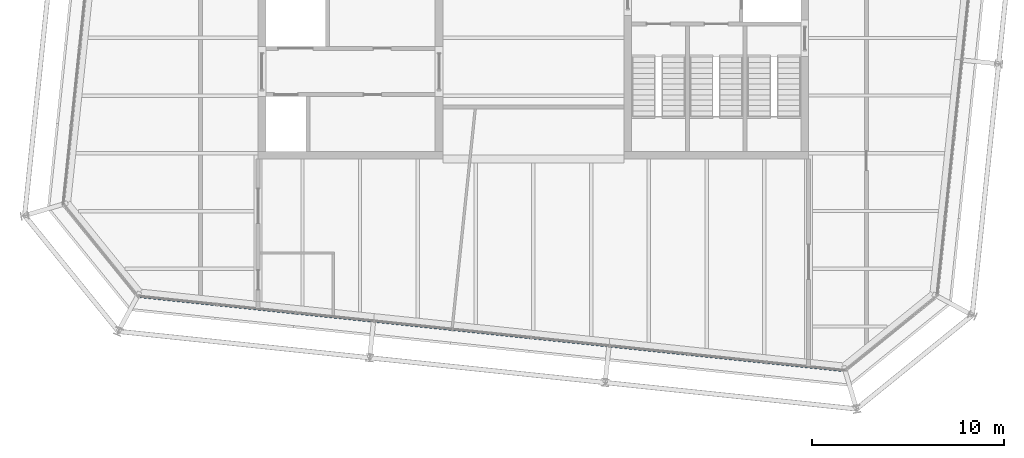
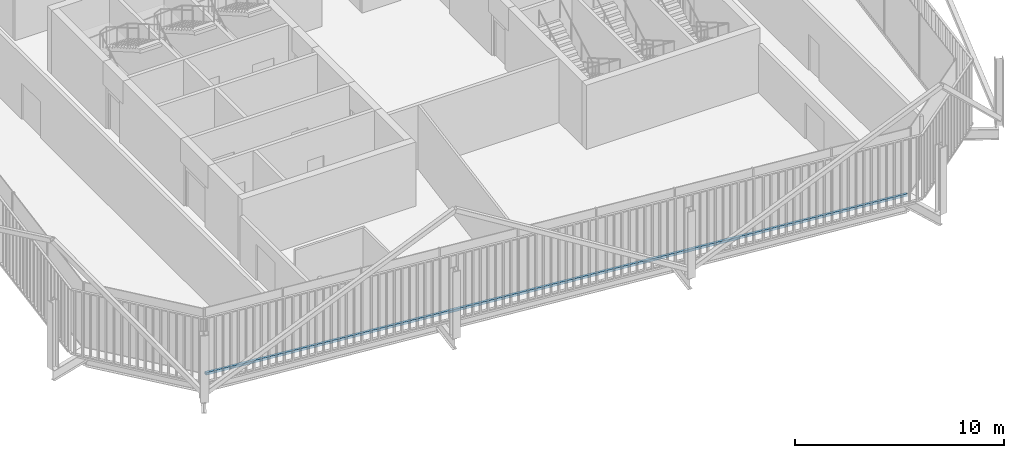
# One storey, part 4 of 21: 1 member, 1 element without a shape of its own.
"""IFC4 building model written with IfcOpenShell, lengths in metres."""

from ifc_helpers import new_model, si_unit, direction, frame, origin, origin_2d, place, context, subcontext, project, spatial, rectangle, extrude, material, layer, layer_set, material_profile, profile_set, type_object, element, aggregate, save


model = new_model("IFC4")

# Units and contexts
model_context = context("Model", 3, precision=1e-05, world=origin(), true_north=direction((0.0, 1.0)))
body_context = subcontext(model_context, "Body", "Model", "MODEL_VIEW")
ifc_project = project(units=[si_unit("LENGTHUNIT", "METRE"), si_unit("AREAUNIT", "SQUARE_METRE"), si_unit("VOLUMEUNIT", "CUBIC_METRE"), si_unit("PLANEANGLEUNIT", "RADIAN"), si_unit("MASSUNIT", "GRAM", prefix="KILO")], contexts=[model_context])

# Site, building, storey
site_placement = place(None, origin())
site = spatial("IfcSite", under=ifc_project, at=site_placement, CompositionType="ELEMENT")
building_placement = place(site_placement, origin())
building = spatial("IfcBuilding", under=site, at=building_placement, Name="Millrace Tower", CompositionType="ELEMENT")
storey_placement = place(building_placement, frame((0.0, 0.0, 283.800048828125)))
storey = spatial("IfcBuildingStorey", under=building, at=storey_placement, Name="L65", CompositionType="ELEMENT", Elevation=283.800048828125)

# Curtain wall, member
ifc_material_1 = material(Name="Aluminium and glass", Category="aluminium")
ifc_layer = layer(ifc_material_1, 0.14990234375)
ifc_layer_set = layer_set([ifc_layer], Name="Aluminium and glass")
curtain_wall_type = type_object("IfcCurtainWallType", Name="CW-1 office vision curtain wall", PredefinedType="NOTDEFINED", material=ifc_layer_set)
curtain_wall_placement = place(storey_placement, origin())
curtain_wall = element("IfcCurtainWall", 1, at=curtain_wall_placement, inside=storey, type_object=curtain_wall_type, Name="Curtain wall E-F02 L65", PredefinedType="NOTDEFINED")
ifc_material_2 = material(Name="Aluminium", Category="aluminium")
ifc_material_profile = material_profile(ifc_material_2, rectangle(XDim=0.14990234375, YDim=0.139892578125, at=origin_2d()))
ifc_profile_set = profile_set([ifc_material_profile], Name="Aluminium")
member_type = type_object("IfcMemberType", Name="CW-1 office vision curtain wall transom", PredefinedType="USERDEFINED", material=ifc_profile_set)
member_placement = place(storey_placement, frame((-20.435302734375, -16.431884765625, 0.070068359375), z_axis=(0.994521952886, -0.104527916025, 0.0), x_axis=(0.104527916025, 0.994521952886, 0.0)))
member = element("IfcMember", 2, at=member_placement, type_object=member_type, Name="CW1 transom E-F02.1", ObjectType="TRANSOM", PredefinedType="USERDEFINED", context=body_context, shape_type="SweptSolid", body=[
    extrude(rectangle(XDim=0.14990234375, YDim=0.139892578125, at=origin_2d()), origin(), (0.0, 0.0, 1.0), 36.699951171875),
])
aggregate(curtain_wall, [member])

save(model, "model.ifc")
